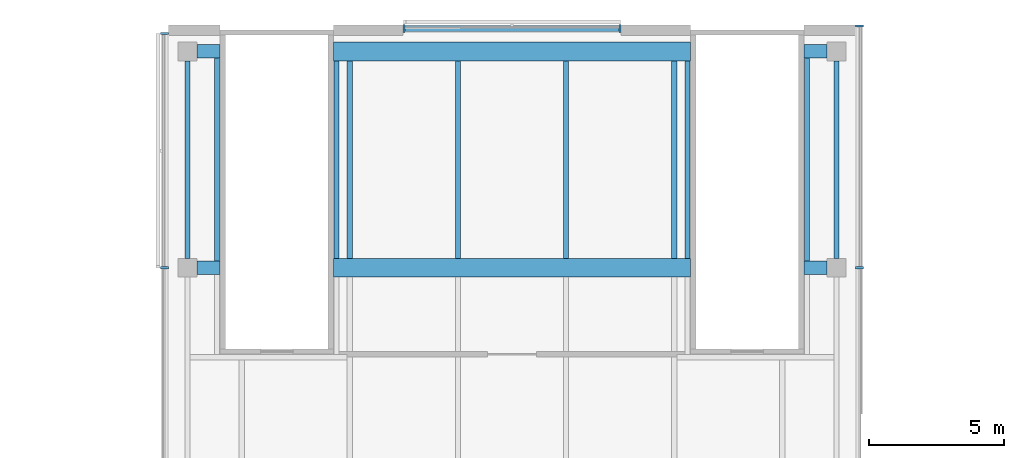
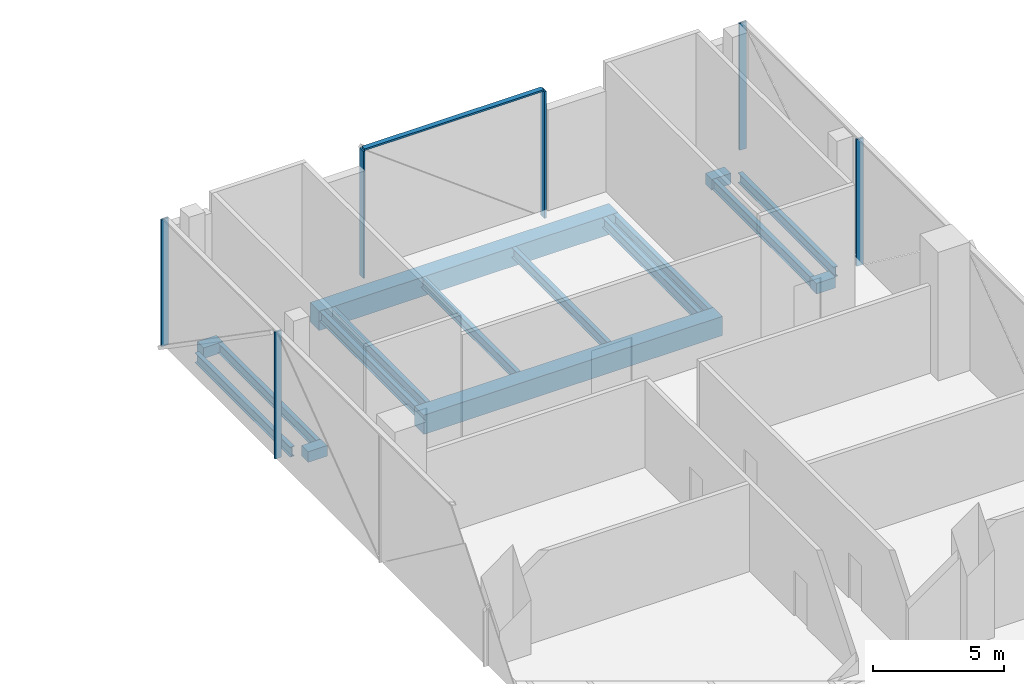
# One storey, part 11 of 23: 16 beams, 7 members, 3 elements without a shape of their own.
"""IFC4 building model written with IfcOpenShell, lengths in metres."""

from ifc_helpers import new_model, si_unit, direction, frame, origin, origin_2d, place, context, subcontext, project, spatial, rectangle, i_section, extrude, material, material_profile, profile_set, type_object, element, aggregate, save


model = new_model("IFC4")

# Units and contexts
model_context = context("Model", 3, precision=1e-05, world=origin(), true_north=direction((0.0, 1.0)))
body_context = subcontext(model_context, "Body", "Model", "MODEL_VIEW")
ifc_project = project(units=[si_unit("LENGTHUNIT", "METRE"), si_unit("AREAUNIT", "SQUARE_METRE"), si_unit("VOLUMEUNIT", "CUBIC_METRE"), si_unit("PLANEANGLEUNIT", "RADIAN"), si_unit("MASSUNIT", "GRAM", prefix="KILO")], contexts=[model_context])

# Site, building, storey
site_placement = place(None, origin())
site = spatial("IfcSite", under=ifc_project, at=site_placement, CompositionType="ELEMENT")
building_placement = place(site_placement, origin())
building = spatial("IfcBuilding", under=site, at=building_placement, Name="Crosswind Convention Tower", CompositionType="ELEMENT")
storey_placement = place(building_placement, frame((0.0, 0.0, 41.5)))
storey = spatial("IfcBuildingStorey", under=building, at=storey_placement, Name="L05", CompositionType="ELEMENT", Elevation=41.5)

# Beams
ifc_material_1 = material(Name="Steel S355", Category="steel")
ifc_material_profile_1 = material_profile(ifc_material_1, i_section(OverallWidth=0.19287109375, OverallDepth=0.467529296875, WebThickness=0.011474609375, FlangeThickness=0.01953125, FilletRadius=0.01025390625, at=origin_2d()), Name="UB 457x191x98")
ifc_profile_set_1 = profile_set([ifc_material_profile_1], Name="Steel S355")
beam_type_1 = type_object("IfcBeamType", Name="Edge beam UB 457x191x98", PredefinedType="SPANDREL", material=ifc_profile_set_1)
for number, where, z_axis, x_axis, name in (
    (1, (113.0, 136.35009765625, -0.6337890625), (0.0, 1.0, 0.0), (-1.0, 0.0, 0.0), "B20 L05 edge beam 12"),
    (2, (137.0, 136.35009765625, -0.6337890625), (0.0, 1.0, 0.0), (-1.0, 0.0, 0.0), "B20 L05 edge beam 20"),
):
    element("IfcBeam", number, at=place(storey_placement, frame(where, z_axis=z_axis, x_axis=x_axis)), inside=storey, type_object=beam_type_1, Name=name, PredefinedType="SPANDREL", context=body_context, shape_type="SweptSolid", body=[
        extrude(i_section(OverallWidth=0.19287109375, OverallDepth=0.467529296875, WebThickness=0.011474609375, FlangeThickness=0.01953125, FilletRadius=0.01025390625, at=origin_2d()), origin(), (0.0, 0.0, 1.0), 7.2998046875),
    ])

# Curtain wall, members
ifc_material_2 = material(Name="Aluminium unitised curtain wall", Category="aluminium")
curtain_wall_type = type_object("IfcCurtainWallType", Name="PODIUM UNITISED WALL 300", PredefinedType="USERDEFINED", material=ifc_material_2)
curtain_wall_1_placement = place(storey_placement, origin())
curtain_wall_1 = element("IfcCurtainWall", 3, at=curtain_wall_1_placement, inside=storey, type_object=curtain_wall_type, Name="CW1 L05 N-E 1", ObjectType="UNITISED", PredefinedType="USERDEFINED")
ifc_material_3 = material(Name="Aluminium mullion", Category="aluminium")
ifc_material_profile_2 = material_profile(ifc_material_3, rectangle(XDim=0.300048828125, YDim=0.080078125, at=origin_2d()), Name="AL 300X80")
ifc_profile_set_2 = profile_set([ifc_material_profile_2], Name="Aluminium mullion")
member_type_1 = type_object("IfcMemberType", Name="MULLION 80X300", PredefinedType="MULLION", material=ifc_profile_set_2)
member_1_placement = place(storey_placement, frame((137.85009765625, 136.0, -0.39990234375), z_axis=(0.0, 0.0, 1.0), x_axis=(1.0, 0.0, 0.0)))
member_1 = element("IfcMember", 4, at=member_1_placement, type_object=member_type_1, Name="CW1 mullion 3", PredefinedType="MULLION", context=body_context, shape_type="SweptSolid", body=[
    extrude(rectangle(XDim=0.300048828125, YDim=0.080078125, at=origin_2d()), origin(), (0.0, 0.0, 1.0), 5.919921875),
])
member_2_placement = place(storey_placement, frame((137.85009765625, 144.945068359375, -0.39990234375), z_axis=(0.0, 0.0, 1.0), x_axis=(1.0, 0.0, 0.0)))
member_2 = element("IfcMember", 5, at=member_2_placement, type_object=member_type_1, Name="CW1 mullion 4", PredefinedType="MULLION", context=body_context, shape_type="SweptSolid", body=[
    extrude(rectangle(XDim=0.300048828125, YDim=0.080078125, at=origin_2d()), origin(), (0.0, 0.0, 1.0), 5.919921875),
])
aggregate(curtain_wall_1, [member_1, member_2])

curtain_wall_2_placement = place(storey_placement, origin())
curtain_wall_2 = element("IfcCurtainWall", 6, at=curtain_wall_2_placement, inside=storey, type_object=curtain_wall_type, Name="CW1 L05 N-TIP 1", ObjectType="UNITISED", PredefinedType="USERDEFINED")
member_3_placement = place(storey_placement, frame((129.0, 144.85009765625, -0.39990234375), z_axis=(0.0, 0.0, 1.0), x_axis=(0.0, 1.0, 0.0)))
member_3 = element("IfcMember", 7, at=member_3_placement, type_object=member_type_1, Name="CW1 mullion 1", PredefinedType="MULLION", context=body_context, shape_type="SweptSolid", body=[
    extrude(rectangle(XDim=0.300048828125, YDim=0.080078125, at=origin_2d()), origin(), (0.0, 0.0, 1.0), 5.919921875),
])
member_4_placement = place(storey_placement, frame((121.0, 144.85009765625, -0.39990234375), z_axis=(0.0, 0.0, 1.0), x_axis=(0.0, 1.0, 0.0)))
member_4 = element("IfcMember", 8, at=member_4_placement, type_object=member_type_1, Name="CW1 mullion 2", PredefinedType="MULLION", context=body_context, shape_type="SweptSolid", body=[
    extrude(rectangle(XDim=0.300048828125, YDim=0.080078125, at=origin_2d()), origin(), (0.0, 0.0, 1.0), 5.919921875),
])

curtain_wall_3_placement = place(storey_placement, origin())
curtain_wall_3 = element("IfcCurtainWall", 9, at=curtain_wall_3_placement, inside=storey, type_object=curtain_wall_type, Name="CW1 L05 N-W 1", ObjectType="UNITISED", PredefinedType="USERDEFINED")
member_5_placement = place(storey_placement, frame((112.14990234375, 144.659912109375, -0.39990234375), z_axis=(0.0, 0.0, 1.0), x_axis=(-1.0, 0.0, 0.0)))
member_5 = element("IfcMember", 10, at=member_5_placement, type_object=member_type_1, Name="CW1 mullion 1", PredefinedType="MULLION", context=body_context, shape_type="SweptSolid", body=[
    extrude(rectangle(XDim=0.300048828125, YDim=0.080078125, at=origin_2d()), origin(), (0.0, 0.0, 1.0), 5.919921875),
])
member_6_placement = place(storey_placement, frame((112.14990234375, 136.0, -0.39990234375), z_axis=(0.0, 0.0, 1.0), x_axis=(-1.0, 0.0, 0.0)))
member_6 = element("IfcMember", 11, at=member_6_placement, type_object=member_type_1, Name="CW1 mullion 2", PredefinedType="MULLION", context=body_context, shape_type="SweptSolid", body=[
    extrude(rectangle(XDim=0.300048828125, YDim=0.080078125, at=origin_2d()), origin(), (0.0, 0.0, 1.0), 5.919921875),
])
aggregate(curtain_wall_3, [member_5, member_6])

# Beams
ifc_material_4 = material(Name="Concrete C60/75", Category="concrete")
ifc_material_profile_3 = material_profile(ifc_material_4, rectangle(XDim=0.699951171875, YDim=0.89990234375, at=origin_2d()), Name="RC 700X900")
ifc_profile_set_3 = profile_set([ifc_material_profile_3], Name="Concrete C60/75")
beam_type_2 = type_object("IfcBeamType", Name="Prestressed concrete girder between stair walls RC 700X900", PredefinedType="BEAM", material=ifc_profile_set_3)
for number, where, z_axis, x_axis, name in (
    (12, (118.39990234375, 136.0, -0.85009765625), (1.0, 0.0, 0.0), (0.0, 1.0, 0.0), "B41 L05 prestressed concrete girder between stair walls 5"),
    (13, (118.39990234375, 144.0, -0.85009765625), (1.0, 0.0, 0.0), (0.0, 1.0, 0.0), "B41 L05 prestressed concrete girder between stair walls 6"),
):
    element("IfcBeam", number, at=place(storey_placement, frame(where, z_axis=z_axis, x_axis=x_axis)), inside=storey, type_object=beam_type_2, Name=name, PredefinedType="BEAM", context=body_context, shape_type="SweptSolid", body=[
        extrude(rectangle(XDim=0.699951171875, YDim=0.89990234375, at=origin_2d()), origin(), (0.0, 0.0, 1.0), 13.2001953125),
    ])
ifc_material_profile_4 = material_profile(ifc_material_1, i_section(OverallWidth=0.19140625, OverallDepth=0.460205078125, WebThickness=0.010009765625, FlangeThickness=0.01611328125, FilletRadius=0.01025390625, at=origin_2d()), Name="UB 457x191x82")
ifc_profile_set_4 = profile_set([ifc_material_profile_4], Name="Steel S355")
beam_type_3 = type_object("IfcBeamType", Name="Secondary beam UB 457x191x82", PredefinedType="JOIST", material=ifc_profile_set_4)
for number, where, z_axis, x_axis, name in (
    (14, (119.0, 136.35009765625, -0.630126953125), (0.0, 1.0, 0.0), (-1.0, 0.0, 0.0), "B13 L05 secondary beam 27"),
    (15, (123.0, 136.35009765625, -0.630126953125), (0.0, 1.0, 0.0), (-1.0, 0.0, 0.0), "B13 L05 secondary beam 38"),
    (16, (127.0, 136.35009765625, -0.630126953125), (0.0, 1.0, 0.0), (-1.0, 0.0, 0.0), "B13 L05 secondary beam 46"),
    (17, (131.0, 136.35009765625, -0.630126953125), (0.0, 1.0, 0.0), (-1.0, 0.0, 0.0), "B13 L05 secondary beam 57"),
):
    element("IfcBeam", number, at=place(storey_placement, frame(where, z_axis=z_axis, x_axis=x_axis)), inside=storey, type_object=beam_type_3, Name=name, PredefinedType="JOIST", context=body_context, shape_type="SweptSolid", body=[
        extrude(i_section(OverallWidth=0.19140625, OverallDepth=0.460205078125, WebThickness=0.010009765625, FlangeThickness=0.01611328125, FilletRadius=0.01025390625, at=origin_2d()), origin(), (0.0, 0.0, 1.0), 7.2998046875),
    ])
ifc_material_profile_5 = material_profile(ifc_material_4, rectangle(XDim=0.5, YDim=0.5, at=origin_2d()), Name="RC 500X500")
ifc_profile_set_5 = profile_set([ifc_material_profile_5], Name="Concrete C60/75")
beam_type_4 = type_object("IfcBeamType", Name="Slab edge tie beam RC 500X500", PredefinedType="BEAM", material=ifc_profile_set_5)
for number, where, z_axis, x_axis, name in (
    (18, (113.35009765625, 136.0, -0.64990234375), (1.0, 0.0, 0.0), (0.0, 1.0, 0.0), "B42 L05 slab edge tie beam 7"),
    (19, (113.35009765625, 144.0, -0.64990234375), (1.0, 0.0, 0.0), (0.0, 1.0, 0.0), "B42 L05 slab edge tie beam 8"),
    (20, (135.800048828125, 136.0, -0.64990234375), (1.0, 0.0, 0.0), (0.0, 1.0, 0.0), "B42 L05 slab edge tie beam 11"),
    (21, (135.800048828125, 144.0, -0.64990234375), (1.0, 0.0, 0.0), (0.0, 1.0, 0.0), "B42 L05 slab edge tie beam 12"),
):
    element("IfcBeam", number, at=place(storey_placement, frame(where, z_axis=z_axis, x_axis=x_axis)), inside=storey, type_object=beam_type_4, Name=name, PredefinedType="BEAM", context=body_context, shape_type="SweptSolid", body=[
        extrude(rectangle(XDim=0.5, YDim=0.5, at=origin_2d()), origin(), (0.0, 0.0, 1.0), 0.849853515625),
    ])

# Member
ifc_material_5 = material(Name="Aluminium transom", Category="aluminium")
ifc_material_profile_6 = material_profile(ifc_material_5, rectangle(XDim=0.219970703125, YDim=0.080078125, at=origin_2d()), Name="AL 220X80")
ifc_profile_set_6 = profile_set([ifc_material_profile_6], Name="Aluminium transom")
member_type_2 = type_object("IfcMemberType", Name="TRANSOM 80X220", PredefinedType="USERDEFINED", material=ifc_profile_set_6)
member_7_placement = place(storey_placement, frame((128.9599609375, 144.85009765625, 5.56005859375), z_axis=(-1.0, 0.0, 0.0), x_axis=(0.0, -1.0, 0.0)))
member_7 = element("IfcMember", 22, at=member_7_placement, type_object=member_type_2, Name="CW1 transom", ObjectType="TRANSOM", PredefinedType="USERDEFINED", context=body_context, shape_type="SweptSolid", body=[
    extrude(rectangle(XDim=0.219970703125, YDim=0.080078125, at=origin_2d()), origin(), (0.0, 0.0, 1.0), 7.919921875),
])

aggregate(curtain_wall_2, [member_3, member_4, member_7])

# Beams
ifc_material_profile_7 = material_profile(ifc_material_1, i_section(OverallWidth=0.19189453125, OverallDepth=0.463623046875, WebThickness=0.010498046875, FlangeThickness=0.017578125, FilletRadius=0.01025390625, at=origin_2d()), Name="UB 457x191x90")
ifc_profile_set_7 = profile_set([ifc_material_profile_7], Name="Steel S355")
beam_type_5 = type_object("IfcBeamType", Name="Trimmer beam UB 457x191x90", PredefinedType="BEAM", material=ifc_profile_set_7)
beam_1_placement = place(storey_placement, frame((114.090087890625, 136.25, -0.6318359375), z_axis=(0.0, 1.0, 0.0), x_axis=(-1.0, 0.0, 0.0)))
element("IfcBeam", 23, at=beam_1_placement, inside=storey, type_object=beam_type_5, Name="B33 L05 trimmer beam 16", PredefinedType="BEAM", context=body_context, shape_type="SweptSolid", body=[
    extrude(i_section(OverallWidth=0.19189453125, OverallDepth=0.463623046875, WebThickness=0.010498046875, FlangeThickness=0.017578125, FilletRadius=0.01025390625, at=origin_2d()), origin(), (0.0, 0.0, 1.0), 7.5),
])
for number, where, z_axis, x_axis, name in (
    (24, (118.510009765625, 136.35009765625, -0.6318359375), (0.0, 1.0, 0.0), (-1.0, 0.0, 0.0), "B33 L05 trimmer beam 20"),
    (25, (131.489990234375, 136.35009765625, -0.6318359375), (0.0, 1.0, 0.0), (-1.0, 0.0, 0.0), "B33 L05 trimmer beam 26"),
):
    element("IfcBeam", number, at=place(storey_placement, frame(where, z_axis=z_axis, x_axis=x_axis)), inside=storey, type_object=beam_type_5, Name=name, PredefinedType="BEAM", context=body_context, shape_type="SweptSolid", body=[
        extrude(i_section(OverallWidth=0.19189453125, OverallDepth=0.463623046875, WebThickness=0.010498046875, FlangeThickness=0.017578125, FilletRadius=0.01025390625, at=origin_2d()), origin(), (0.0, 0.0, 1.0), 7.2998046875),
    ])
beam_2_placement = place(storey_placement, frame((135.909912109375, 136.25, -0.6318359375), z_axis=(0.0, 1.0, 0.0), x_axis=(-1.0, 0.0, 0.0)))
element("IfcBeam", 26, at=beam_2_placement, inside=storey, type_object=beam_type_5, Name="B33 L05 trimmer beam 30", PredefinedType="BEAM", context=body_context, shape_type="SweptSolid", body=[
    extrude(i_section(OverallWidth=0.19189453125, OverallDepth=0.463623046875, WebThickness=0.010498046875, FlangeThickness=0.017578125, FilletRadius=0.01025390625, at=origin_2d()), origin(), (0.0, 0.0, 1.0), 7.5),
])

save(model, "model.ifc")
